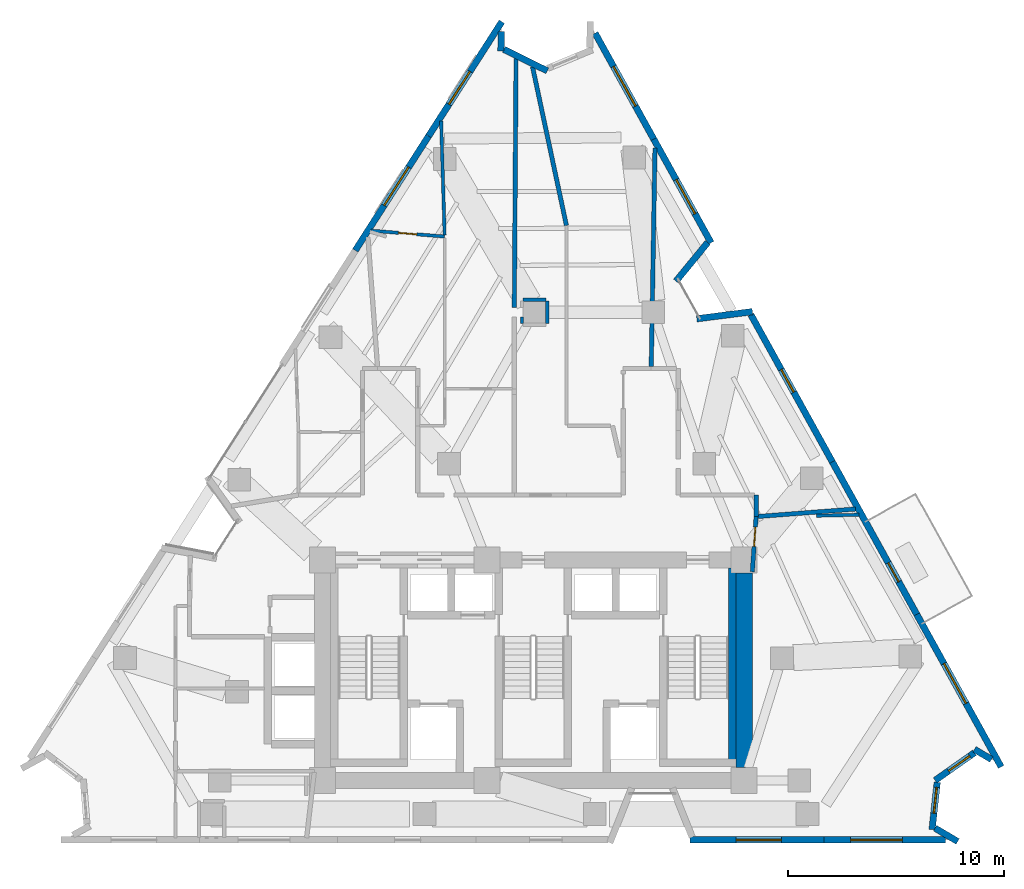
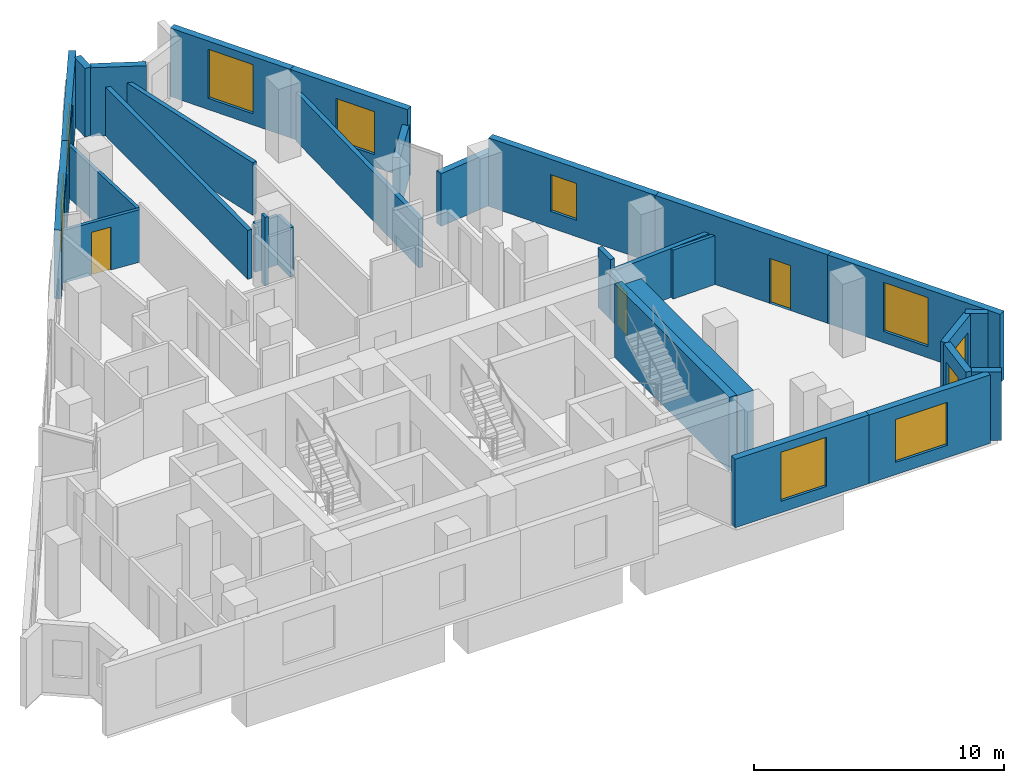
# One storey, part 8 of 11: 31 walls, 10 windows, 3 doors, 13 openings.
"""IFC4 building model written with IfcOpenShell, lengths in metres."""

from ifc_helpers import new_model, si_unit, direction, frame, frame_2d, origin, place, context, subcontext, project, spatial, rectangle, extrude, material, layer, layer_set, type_object, element, fill, save


model = new_model("IFC4")

# Units and contexts
model_context = context("Model", 3, precision=1e-05, world=origin(), true_north=direction((0.0, 1.0)))
body_context = subcontext(model_context, "Body", "Model", "MODEL_VIEW")
ifc_project = project(units=[si_unit("LENGTHUNIT", "METRE"), si_unit("AREAUNIT", "SQUARE_METRE"), si_unit("VOLUMEUNIT", "CUBIC_METRE"), si_unit("PLANEANGLEUNIT", "RADIAN"), si_unit("MASSUNIT", "GRAM", prefix="KILO")], contexts=[model_context])

# Site, building, storey
site_placement = place(None, origin())
site = spatial("IfcSite", under=ifc_project, at=site_placement, CompositionType="ELEMENT")
building_placement = place(site_placement, origin())
building = spatial("IfcBuilding", under=site, at=building_placement, Name="Almagre Mirador Tower", CompositionType="ELEMENT")
storey_placement = place(building_placement, frame((0.0, 0.0, 153.60009765625)))
storey = spatial("IfcBuildingStorey", under=building, at=storey_placement, Name="L39", CompositionType="ELEMENT", Elevation=153.60009765625)

# Wall, opening, window
ifc_material_1 = material(Name="Precast concrete C50/60", Category="concrete")
ifc_layer_1 = layer(ifc_material_1, 0.300048828125)
ifc_layer_set_1 = layer_set([ifc_layer_1], Name="Precast concrete C50/60")
wall_type_1 = type_object("IfcWallType", Name="WAL-EXT-300", PredefinedType="SOLIDWALL", material=ifc_layer_set_1)
wall_1_placement = place(storey_placement, frame((29.06689453125, 29.05859375, 0.0), z_axis=(0.0, 0.0, 1.0), x_axis=(0.539534675603, 0.841963380333, 0.0)))
wall_1 = element("IfcWall", 1, at=wall_1_placement, inside=storey, type_object=wall_type_1, Name="L39 expressed almagre precast frame wall 04", PredefinedType="SOLIDWALL", context=body_context, shape_type="SweptSolid", body=[
    extrude(rectangle(XDim=6.27880859375, YDim=0.300048828125, at=frame_2d((3.139404296875, 0.0))), origin(), (0.0, 0.0, 1.0), 3.349853515625),
])
opening_1_placement = place(wall_1_placement, frame((2.47509765625, 0.0, 0.550048828125)))
opening_1 = element("IfcOpeningElement", 2, at=opening_1_placement, cuts=wall_1, Name="Opening WN-05", PredefinedType="OPENING", context=body_context, shape_type="SweptSolid", body=[
    extrude(rectangle(XDim=2.10009765625, YDim=2.39990234375, at=frame_2d((1.050048828125, 1.199951171875))), frame((0.0, 0.159902, 0.0), z_axis=(0.0, -1.0, 0.0), x_axis=(1.0, 0.0, 0.0)), (0.0, 0.0, 1.0), 0.320049),
])
ifc_material_2 = material(Name="Dark solar-control laminated hurricane glass", Category="glass")
window_type_1 = type_object("IfcWindowType", Name="WIN-2100X2400", PartitioningType="DOUBLE_PANEL_VERTICAL", PredefinedType="WINDOW", material=ifc_material_2)
window_1_placement = place(opening_1_placement, origin())
window_1 = element("IfcWindow", 3, at=window_1_placement, inside=storey, type_object=window_type_1, Name="L39 recessed hurricane window L39-UG-HB", OverallHeight=2.39990234375, OverallWidth=2.10009765625, PartitioningType="SINGLE_PANEL", PredefinedType="WINDOW", context=body_context, shape_type="SweptSolid", body=[
    extrude(rectangle(XDim=2.10009765625, YDim=2.39990234375, at=frame_2d((1.050048828125, 1.199951171875))), frame((0.0, 0.030029296875, 0.0), z_axis=(0.0, -1.0, 0.0), x_axis=(1.0, 0.0, 0.0)), (0.0, 0.0, 1.0), 0.06005859375),
])
fill(opening_1, window_1)

wall_2_placement = place(storey_placement, frame((32.45458984375, 34.34521484375, 0.0), z_axis=(0.0, 0.0, 1.0), x_axis=(0.539489448276, 0.841992360535, 0.0)))
wall_2 = element("IfcWall", 4, at=wall_2_placement, inside=storey, type_object=wall_type_1, Name="L39 expressed almagre precast frame wall 05", PredefinedType="SOLIDWALL", context=body_context, shape_type="SweptSolid", body=[
    extrude(rectangle(XDim=6.279052734375, YDim=0.300048828125, at=frame_2d((3.1396484375, 0.0))), origin(), (0.0, 0.0, 1.0), 3.349853515625),
])
opening_2_placement = place(wall_2_placement, frame((1.75, 0.0, 0.60009765625)))
opening_2 = element("IfcOpeningElement", 5, at=opening_2_placement, cuts=wall_2, Name="Opening WN-01", PredefinedType="OPENING", context=body_context, shape_type="SweptSolid", body=[
    extrude(rectangle(XDim=1.800048828125, YDim=2.10009765625, at=frame_2d((0.89990234375, 1.050048828125))), frame((0.0, 0.159902, 0.0), z_axis=(0.0, -1.0, 0.0), x_axis=(1.0, 0.0, 0.0)), (0.0, 0.0, 1.0), 0.320049),
])
ifc_material_3 = material(Name="Dark solar-control laminated hurricane glass", Category="glass")
window_type_2 = type_object("IfcWindowType", Name="WIN-1800X2100", PartitioningType="DOUBLE_PANEL_VERTICAL", PredefinedType="WINDOW", material=ifc_material_3)
window_2_placement = place(opening_2_placement, origin())
window_2 = element("IfcWindow", 6, at=window_2_placement, inside=storey, type_object=window_type_2, Name="L39 recessed hurricane window L39-UG-SL1", OverallHeight=2.10009765625, OverallWidth=1.800048828125, PartitioningType="SINGLE_PANEL", PredefinedType="WINDOW", context=body_context, shape_type="SweptSolid", body=[
    extrude(rectangle(XDim=1.800048828125, YDim=2.10009765625, at=frame_2d((0.89990234375, 1.050048828125))), frame((0.0, 0.030029296875, 0.0), z_axis=(0.0, -1.0, 0.0), x_axis=(1.0, 0.0, 0.0)), (0.0, 0.0, 1.0), 0.06005859375),
])
fill(opening_2, window_2)

# Walls
wall_3_placement = place(storey_placement, frame((35.82763671875, 39.187255859375, 0.0), z_axis=(0.0, 0.0, 1.0), x_axis=(-0.031938584897, -0.999489833262, 0.0)))
element("IfcWall", 7, at=wall_3_placement, inside=storey, type_object=wall_type_1, Name="L39 expressed almagre precast frame wall 06", PredefinedType="SOLIDWALL", context=body_context, shape_type="SweptSolid", body=[
    extrude(rectangle(XDim=0.90966796875, YDim=0.300048828125, at=frame_2d((0.454833984375, 0.0))), origin(), (0.0, 0.0, 1.0), 3.349853515625),
])
wall_4_placement = place(storey_placement, frame((35.928466796875, 38.35595703125, 0.0), z_axis=(0.0, 0.0, 1.0), x_axis=(0.896845505116, -0.442343915922, 0.0)))
element("IfcWall", 8, at=wall_4_placement, inside=storey, type_object=wall_type_1, Name="L39 expressed almagre precast frame wall 07", PredefinedType="SOLIDWALL", context=body_context, shape_type="SweptSolid", body=[
    extrude(rectangle(XDim=2.2490234375, YDim=0.300048828125, at=frame_2d((1.12451171875, 0.0))), origin(), (0.0, 0.0, 1.0), 3.349853515625),
])

# Wall, opening, window
wall_5_placement = place(storey_placement, frame((40.15478515625, 39.106201171875, 0.0), z_axis=(0.0, 0.0, 1.0), x_axis=(0.484204903903, -0.874954633702, 0.0)))
wall_5 = element("IfcWall", 9, at=wall_5_placement, inside=storey, type_object=wall_type_1, Name="L39 expressed almagre precast frame wall 10", PredefinedType="SOLIDWALL", context=body_context, shape_type="SweptSolid", body=[
    extrude(rectangle(XDim=5.653076171875, YDim=0.300048828125, at=frame_2d((2.82666015625, 0.0))), origin(), (0.0, 0.0, 1.0), 3.349853515625),
])
opening_3_placement = place(wall_5_placement, frame((1.760009765625, 0.0, 0.550048828125)))
opening_3 = element("IfcOpeningElement", 10, at=opening_3_placement, cuts=wall_5, Name="Opening WN-05", PredefinedType="OPENING", context=body_context, shape_type="SweptSolid", body=[
    extrude(rectangle(XDim=2.10009765625, YDim=2.39990234375, at=frame_2d((1.050048828125, 1.199951171875))), frame((0.0, 0.159902, 0.0), z_axis=(0.0, -1.0, 0.0), x_axis=(1.0, 0.0, 0.0)), (0.0, 0.0, 1.0), 0.320049),
])
window_3_placement = place(opening_3_placement, origin())
window_3 = element("IfcWindow", 11, at=window_3_placement, inside=storey, type_object=window_type_1, Name="L39 recessed hurricane window L39-RST-H", OverallHeight=2.39990234375, OverallWidth=2.10009765625, PartitioningType="SINGLE_PANEL", PredefinedType="WINDOW", context=body_context, shape_type="SweptSolid", body=[
    extrude(rectangle(XDim=2.10009765625, YDim=2.39990234375, at=frame_2d((1.050048828125, 1.199951171875))), frame((0.0, 0.030029296875, 0.0), z_axis=(0.0, -1.0, 0.0), x_axis=(1.0, 0.0, 0.0)), (0.0, 0.0, 1.0), 0.06005859375),
])
fill(opening_3, window_3)

wall_6_placement = place(storey_placement, frame((42.866455078125, 34.206298828125, 0.0), z_axis=(0.0, 0.0, 1.0), x_axis=(0.484193476584, -0.874960957548, 0.0)))
wall_6 = element("IfcWall", 12, at=wall_6_placement, inside=storey, type_object=wall_type_1, Name="L39 expressed almagre precast frame wall 11", PredefinedType="SOLIDWALL", context=body_context, shape_type="SweptSolid", body=[
    extrude(rectangle(XDim=5.47998046875, YDim=0.300048828125, at=frame_2d((2.739990234375, 0.0))), origin(), (0.0, 0.0, 1.0), 3.349853515625),
])
opening_4_placement = place(wall_6_placement, frame((2.14501953125, 0.0, 0.60009765625)))
opening_4 = element("IfcOpeningElement", 13, at=opening_4_placement, cuts=wall_6, Name="Opening WN-01", PredefinedType="OPENING", context=body_context, shape_type="SweptSolid", body=[
    extrude(rectangle(XDim=1.800048828125, YDim=2.10009765625, at=frame_2d((0.89990234375, 1.050048828125))), frame((0.0, 0.159902, 0.0), z_axis=(0.0, -1.0, 0.0), x_axis=(1.0, 0.0, 0.0)), (0.0, 0.0, 1.0), 0.320049),
])
window_4_placement = place(opening_4_placement, origin())
window_4 = element("IfcWindow", 14, at=window_4_placement, inside=storey, type_object=window_type_2, Name="L39 recessed hurricane window L39-UF-ST", OverallHeight=2.10009765625, OverallWidth=1.800048828125, PartitioningType="SINGLE_PANEL", PredefinedType="WINDOW", context=body_context, shape_type="SweptSolid", body=[
    extrude(rectangle(XDim=1.800048828125, YDim=2.10009765625, at=frame_2d((0.89990234375, 1.050048828125))), frame((0.0, 0.030029296875, 0.0), z_axis=(0.0, -1.0, 0.0), x_axis=(1.0, 0.0, 0.0)), (0.0, 0.0, 1.0), 0.06005859375),
])
fill(opening_4, window_4)

# Walls
wall_7_placement = place(storey_placement, frame((45.36328125, 29.42578125, 0.0), z_axis=(0.0, 0.0, 1.0), x_axis=(-0.634082112051, -0.773265720937, 0.0)))
element("IfcWall", 15, at=wall_7_placement, inside=storey, type_object=wall_type_1, Name="L39 expressed almagre precast frame wall 12", PredefinedType="SOLIDWALL", context=body_context, shape_type="SweptSolid", body=[
    extrude(rectangle(XDim=2.313720703125, YDim=0.300048828125, at=frame_2d((1.15673828125, 0.0))), origin(), (0.0, 0.0, 1.0), 2.574951171875),
])
wall_8_placement = place(storey_placement, frame((44.858154296875, 25.8994140625, 0.0), z_axis=(0.0, 0.0, 1.0), x_axis=(0.991953049751, 0.126606267974, 0.0)))
element("IfcWall", 16, at=wall_8_placement, inside=storey, type_object=wall_type_1, Name="L39 expressed almagre precast frame wall 13", PredefinedType="SOLIDWALL", context=body_context, shape_type="SweptSolid", body=[
    extrude(rectangle(XDim=2.593505859375, YDim=0.300048828125, at=frame_2d((1.296875, 0.0))), origin(), (0.0, 0.0, 1.0), 2.574951171875),
])

# Wall, opening, window
wall_9_placement = place(storey_placement, frame((47.35986328125, 26.08740234375, 0.0), z_axis=(0.0, 0.0, 1.0), x_axis=(0.484182040501, -0.874967286049, 0.0)))
wall_9 = element("IfcWall", 17, at=wall_9_placement, inside=storey, type_object=wall_type_1, Name="L39 expressed almagre precast frame wall 14", PredefinedType="SOLIDWALL", context=body_context, shape_type="SweptSolid", body=[
    extrude(rectangle(XDim=7.779296875, YDim=0.300048828125, at=frame_2d((3.8896484375, 0.0))), origin(), (0.0, 0.0, 1.0), 3.349853515625),
])
opening_5_placement = place(wall_9_placement, frame((2.89501953125, 0.0, 0.800048828125)))
opening_5 = element("IfcOpeningElement", 18, at=opening_5_placement, cuts=wall_9, Name="Opening WN-04", PredefinedType="OPENING", context=body_context, shape_type="SweptSolid", body=[
    extrude(rectangle(XDim=1.199951171875, YDim=1.800048828125, at=frame_2d((0.60009765625, 0.89990234375))), frame((0.0, 0.159902, 0.0), z_axis=(0.0, -1.0, 0.0), x_axis=(1.0, 0.0, 0.0)), (0.0, 0.0, 1.0), 0.320049),
])
ifc_material_4 = material(Name="Dark solar-control laminated hurricane glass", Category="glass")
window_type_3 = type_object("IfcWindowType", Name="WIN-1200X1800", PartitioningType="SINGLE_PANEL", PredefinedType="WINDOW", material=ifc_material_4)
window_5_placement = place(opening_5_placement, origin())
window_5 = element("IfcWindow", 19, at=window_5_placement, inside=storey, type_object=window_type_3, Name="L39 recessed hurricane window L39-UF-ST", OverallHeight=1.800048828125, OverallWidth=1.199951171875, PartitioningType="SINGLE_PANEL", PredefinedType="WINDOW", context=body_context, shape_type="SweptSolid", body=[
    extrude(rectangle(XDim=1.199951171875, YDim=1.800048828125, at=frame_2d((0.60009765625, 0.89990234375))), frame((0.0, 0.030029296875, 0.0), z_axis=(0.0, -1.0, 0.0), x_axis=(1.0, 0.0, 0.0)), (0.0, 0.0, 1.0), 0.06005859375),
])
fill(opening_5, window_5)

# Wall, opening, door
wall_10_placement = place(storey_placement, frame((51.12646484375, 19.28076171875, 0.0), z_axis=(0.0, 0.0, 1.0), x_axis=(0.484181305153, -0.87496769297, 0.0)))
wall_10 = element("IfcWall", 20, at=wall_10_placement, inside=storey, type_object=wall_type_1, Name="L39 expressed almagre precast frame wall 15", PredefinedType="SOLIDWALL", context=body_context, shape_type="SweptSolid", body=[
    extrude(rectangle(XDim=8.05908203125, YDim=0.300048828125, at=frame_2d((4.029541015625, 0.0))), origin(), (0.0, 0.0, 1.0), 3.349853515625),
])
opening_6_placement = place(wall_10_placement, frame((5.3349609375, 0.0, 0.0)))
opening_6 = element("IfcOpeningElement", 21, at=opening_6_placement, cuts=wall_10, Name="Opening BD-01", PredefinedType="OPENING", context=body_context, shape_type="SweptSolid", body=[
    extrude(rectangle(XDim=1.0, YDim=2.199951171875, at=frame_2d((0.5, 1.10009765625))), frame((0.0, 0.159902, 0.0), z_axis=(0.0, -1.0, 0.0), x_axis=(1.0, 0.0, 0.0)), (0.0, 0.0, 1.0), 0.320049),
])
ifc_material_5 = material(Name="Black anodized aluminium and laminated glass", Category="aluminium")
door_type_1 = type_object("IfcDoorType", Name="DOR-BAL-1000X2200", OperationType="NOTDEFINED", PredefinedType="DOOR", material=ifc_material_5)
door_1_placement = place(opening_6_placement, origin())
door_1 = element("IfcDoor", 22, at=door_1_placement, inside=storey, type_object=door_type_1, Name="DR-1259 L39 east balcony glazed door 1", OperationType="SINGLE_SWING_RIGHT", OverallHeight=2.199951171875, OverallWidth=1.0, PredefinedType="DOOR", context=body_context, shape_type="SweptSolid", body=[
    extrude(rectangle(XDim=1.0, YDim=2.199951171875, at=frame_2d((0.5, 1.10009765625))), frame((0.0, 0.02490234375, 0.0), z_axis=(0.0, -1.0, 0.0), x_axis=(1.0, 0.0, 0.0)), (0.0, 0.0, 1.0), 0.050048828125),
])
fill(opening_6, door_1)

# Wall, opening, window
wall_11_placement = place(storey_placement, frame((55.028564453125, 12.229248046875, 0.0), z_axis=(0.0, 0.0, 1.0), x_axis=(0.484191662818, -0.874961961263, 0.0)))
wall_11 = element("IfcWall", 23, at=wall_11_placement, inside=storey, type_object=wall_type_1, Name="L39 expressed almagre precast frame wall 16", PredefinedType="SOLIDWALL", context=body_context, shape_type="SweptSolid", body=[
    extrude(rectangle(XDim=8.0595703125, YDim=0.300048828125, at=frame_2d((4.02978515625, 0.0))), origin(), (0.0, 0.0, 1.0), 3.349853515625),
])
opening_7_placement = place(wall_11_placement, frame((2.60009765625, 0.0, 0.550048828125)))
opening_7 = element("IfcOpeningElement", 24, at=opening_7_placement, cuts=wall_11, Name="Opening WN-05", PredefinedType="OPENING", context=body_context, shape_type="SweptSolid", body=[
    extrude(rectangle(XDim=2.10009765625, YDim=2.39990234375, at=frame_2d((1.050048828125, 1.199951171875))), frame((0.0, 0.159902, 0.0), z_axis=(0.0, -1.0, 0.0), x_axis=(1.0, 0.0, 0.0)), (0.0, 0.0, 1.0), 0.320049),
])
window_6_placement = place(opening_7_placement, origin())
window_6 = element("IfcWindow", 25, at=window_6_placement, inside=storey, type_object=window_type_1, Name="L39 recessed hurricane window L39-UC-MB", OverallHeight=2.39990234375, OverallWidth=2.10009765625, PartitioningType="SINGLE_PANEL", PredefinedType="WINDOW", context=body_context, shape_type="SweptSolid", body=[
    extrude(rectangle(XDim=2.10009765625, YDim=2.39990234375, at=frame_2d((1.050048828125, 1.199951171875))), frame((0.0, 0.030029296875, 0.0), z_axis=(0.0, -1.0, 0.0), x_axis=(1.0, 0.0, 0.0)), (0.0, 0.0, 1.0), 0.06005859375),
])
fill(opening_7, window_6)

# Wall
wall_12_placement = place(storey_placement, frame((58.48388671875, 5.523681640625, 0.0), z_axis=(0.0, 0.0, 1.0), x_axis=(-0.861425815417, 0.507883416281, 0.0)))
element("IfcWall", 26, at=wall_12_placement, inside=storey, type_object=wall_type_1, Name="L39 expressed almagre precast frame wall 17", PredefinedType="SOLIDWALL", context=body_context, shape_type="SweptSolid", body=[
    extrude(rectangle(XDim=0.914306640625, YDim=0.300048828125, at=frame_2d((0.45703125, 0.0))), origin(), (0.0, 0.0, 1.0), 3.349853515625),
])

# Wall, opening, window
wall_13_placement = place(storey_placement, frame((57.698486328125, 5.83349609375, 0.0), z_axis=(0.0, 0.0, 1.0), x_axis=(-0.817967042546, -0.575265084382, 0.0)))
wall_13 = element("IfcWall", 27, at=wall_13_placement, inside=storey, type_object=wall_type_1, Name="L39 expressed almagre precast frame wall 18", PredefinedType="SOLIDWALL", context=body_context, shape_type="SweptSolid", body=[
    extrude(rectangle(XDim=2.22509765625, YDim=0.300048828125, at=frame_2d((1.112548828125, 0.0))), origin(), (0.0, 0.0, 1.0), 3.349853515625),
])
opening_8_placement = place(wall_13_placement, frame((0.264892578125, 0.0, 0.800048828125)))
opening_8 = element("IfcOpeningElement", 28, at=opening_8_placement, cuts=wall_13, Name="Opening WN-04", PredefinedType="OPENING", context=body_context, shape_type="SweptSolid", body=[
    extrude(rectangle(XDim=1.199951171875, YDim=1.800048828125, at=frame_2d((0.60009765625, 0.89990234375))), frame((0.0, 0.159902, 0.0), z_axis=(0.0, -1.0, 0.0), x_axis=(1.0, 0.0, 0.0)), (0.0, 0.0, 1.0), 0.320049),
])
window_7_placement = place(opening_8_placement, origin())
window_7 = element("IfcWindow", 29, at=window_7_placement, inside=storey, type_object=window_type_3, Name="L39 recessed hurricane window L39-UC-MB", OverallHeight=1.800048828125, OverallWidth=1.199951171875, PartitioningType="SINGLE_PANEL", PredefinedType="WINDOW", context=body_context, shape_type="SweptSolid", body=[
    extrude(rectangle(XDim=1.199951171875, YDim=1.800048828125, at=frame_2d((0.60009765625, 0.89990234375))), frame((0.0, 0.030029296875, 0.0), z_axis=(0.0, -1.0, 0.0), x_axis=(1.0, 0.0, 0.0)), (0.0, 0.0, 1.0), 0.06005859375),
])
fill(opening_8, window_7)

wall_14_placement = place(storey_placement, frame((55.975341796875, 4.469970703125, 0.0), z_axis=(0.0, 0.0, 1.0), x_axis=(-0.107733264194, -0.994179834731, 0.0)))
wall_14 = element("IfcWall", 30, at=wall_14_placement, inside=storey, type_object=wall_type_1, Name="L39 expressed almagre precast frame wall 19", PredefinedType="SOLIDWALL", context=body_context, shape_type="SweptSolid", body=[
    extrude(rectangle(XDim=2.205078125, YDim=0.300048828125, at=frame_2d((1.1025390625, 0.0))), origin(), (0.0, 0.0, 1.0), 3.349853515625),
])
opening_9_placement = place(wall_14_placement, frame((0.2451171875, 0.0, 0.800048828125)))
opening_9 = element("IfcOpeningElement", 31, at=opening_9_placement, cuts=wall_14, Name="Opening WN-04", PredefinedType="OPENING", context=body_context, shape_type="SweptSolid", body=[
    extrude(rectangle(XDim=1.199951171875, YDim=1.800048828125, at=frame_2d((0.60009765625, 0.89990234375))), frame((0.0, 0.159902, 0.0), z_axis=(0.0, -1.0, 0.0), x_axis=(1.0, 0.0, 0.0)), (0.0, 0.0, 1.0), 0.320049),
])
window_8_placement = place(opening_9_placement, origin())
window_8 = element("IfcWindow", 32, at=window_8_placement, inside=storey, type_object=window_type_3, Name="L39 recessed hurricane window L39-UC-MB", OverallHeight=1.800048828125, OverallWidth=1.199951171875, PartitioningType="SINGLE_PANEL", PredefinedType="WINDOW", context=body_context, shape_type="SweptSolid", body=[
    extrude(rectangle(XDim=1.199951171875, YDim=1.800048828125, at=frame_2d((0.60009765625, 0.89990234375))), frame((0.0, 0.030029296875, 0.0), z_axis=(0.0, -1.0, 0.0), x_axis=(1.0, 0.0, 0.0)), (0.0, 0.0, 1.0), 0.06005859375),
])
fill(opening_9, window_8)

# Wall
wall_15_placement = place(storey_placement, frame((55.87353515625, 2.345947265625, 0.0), z_axis=(0.0, 0.0, 1.0), x_axis=(0.861577684209, -0.50762574213, 0.0)))
element("IfcWall", 33, at=wall_15_placement, inside=storey, type_object=wall_type_1, Name="L39 expressed almagre precast frame wall 20", PredefinedType="SOLIDWALL", context=body_context, shape_type="SweptSolid", body=[
    extrude(rectangle(XDim=1.21533203125, YDim=0.300048828125, at=frame_2d((0.607666015625, 0.0))), origin(), (0.0, 0.0, 1.0), 3.349853515625),
])

# Wall, opening, window
wall_16_placement = place(storey_placement, frame((56.360107421875, 1.800048828125, 0.0), z_axis=(0.0, 0.0, 1.0), x_axis=(-1.0, 0.0, 0.0)))
wall_16 = element("IfcWall", 34, at=wall_16_placement, inside=storey, type_object=wall_type_1, Name="L39 expressed almagre precast frame wall 21", PredefinedType="SOLIDWALL", context=body_context, shape_type="SweptSolid", body=[
    extrude(rectangle(XDim=5.614013671875, YDim=0.300048828125, at=frame_2d((2.80712890625, 0.0))), origin(), (0.0, 0.0, 1.0), 3.349853515625),
])
opening_10_placement = place(wall_16_placement, frame((1.9951171875, 0.0, 0.60009765625)))
opening_10 = element("IfcOpeningElement", 35, at=opening_10_placement, cuts=wall_16, Name="Opening WN-02", PredefinedType="OPENING", context=body_context, shape_type="SweptSolid", body=[
    extrude(rectangle(XDim=2.39990234375, YDim=2.10009765625, at=frame_2d((1.199951171875, 1.050048828125))), frame((0.0, 0.159902, 0.0), z_axis=(0.0, -1.0, 0.0), x_axis=(1.0, 0.0, 0.0)), (0.0, 0.0, 1.0), 0.320049),
])
ifc_material_6 = material(Name="Dark solar-control laminated hurricane glass", Category="glass")
window_type_4 = type_object("IfcWindowType", Name="WIN-2400X2100", PartitioningType="TRIPLE_PANEL_VERTICAL", PredefinedType="WINDOW", material=ifc_material_6)
window_9_placement = place(opening_10_placement, origin())
window_9 = element("IfcWindow", 36, at=window_9_placement, inside=storey, type_object=window_type_4, Name="L39 recessed hurricane window L39-UC-KT", OverallHeight=2.10009765625, OverallWidth=2.39990234375, PartitioningType="SINGLE_PANEL", PredefinedType="WINDOW", context=body_context, shape_type="SweptSolid", body=[
    extrude(rectangle(XDim=2.39990234375, YDim=2.10009765625, at=frame_2d((1.199951171875, 1.050048828125))), frame((0.0, 0.030029296875, 0.0), z_axis=(0.0, -1.0, 0.0), x_axis=(1.0, 0.0, 0.0)), (0.0, 0.0, 1.0), 0.06005859375),
])
fill(opening_10, window_9)

wall_17_placement = place(storey_placement, frame((50.74609375, 1.800048828125, 0.0), z_axis=(0.0, 0.0, 1.0), x_axis=(-1.0, 0.0, 0.0)))
wall_17 = element("IfcWall", 37, at=wall_17_placement, inside=storey, type_object=wall_type_1, Name="L39 expressed almagre precast frame wall 22", PredefinedType="SOLIDWALL", context=body_context, shape_type="SweptSolid", body=[
    extrude(rectangle(XDim=6.194091796875, YDim=0.300048828125, at=frame_2d((3.09716796875, 0.0))), origin(), (0.0, 0.0, 1.0), 3.349853515625),
])
opening_11_placement = place(wall_17_placement, frame((1.97509765625, 0.0, 0.550048828125)))
opening_11 = element("IfcOpeningElement", 38, at=opening_11_placement, cuts=wall_17, Name="Opening WN-05", PredefinedType="OPENING", context=body_context, shape_type="SweptSolid", body=[
    extrude(rectangle(XDim=2.10009765625, YDim=2.39990234375, at=frame_2d((1.050048828125, 1.199951171875))), frame((0.0, 0.159902, 0.0), z_axis=(0.0, -1.0, 0.0), x_axis=(1.0, 0.0, 0.0)), (0.0, 0.0, 1.0), 0.320049),
])
window_10_placement = place(opening_11_placement, origin())
window_10 = element("IfcWindow", 39, at=window_10_placement, inside=storey, type_object=window_type_1, Name="L39 recessed hurricane window L39-RST-B", OverallHeight=2.39990234375, OverallWidth=2.10009765625, PartitioningType="SINGLE_PANEL", PredefinedType="WINDOW", context=body_context, shape_type="SweptSolid", body=[
    extrude(rectangle(XDim=2.10009765625, YDim=2.39990234375, at=frame_2d((1.050048828125, 1.199951171875))), frame((0.0, 0.030029296875, 0.0), z_axis=(0.0, -1.0, 0.0), x_axis=(1.0, 0.0, 0.0)), (0.0, 0.0, 1.0), 0.06005859375),
])
fill(opening_11, window_10)

# Wall, opening, door
ifc_material_7 = material(Name="Gypsum acoustic stud partition", Category="other")
ifc_layer_2 = layer(ifc_material_7, 0.14990234375)
ifc_layer_set_2 = layer_set([ifc_layer_2], Name="Gypsum acoustic stud partition")
wall_type_2 = type_object("IfcWallType", Name="WAL-PRT-150-STD", PredefinedType="PARTITIONING", material=ifc_layer_set_2)
wall_18_placement = place(storey_placement, frame((33.199951171875, 29.699951171875, 0.0), z_axis=(0.0, 0.0, 1.0), x_axis=(-0.996817095408, 0.079722508132, 0.0)))
wall_18 = element("IfcWall", 40, at=wall_18_placement, inside=storey, type_object=wall_type_2, Name="L39 interior partition 059", PredefinedType="PARTITIONING", context=body_context, shape_type="SweptSolid", body=[
    extrude(rectangle(XDim=3.417724609375, YDim=0.14990234375, at=frame_2d((1.708984375, 0.0))), origin(), (0.0, 0.0, 1.0), 2.56982421875),
])
opening_12_placement = place(wall_18_placement, frame((1.29345703125, 0.0, 0.0)))
opening_12 = element("IfcOpeningElement", 41, at=opening_12_placement, cuts=wall_18, Name="Opening UD-04", PredefinedType="OPENING", context=body_context, shape_type="SweptSolid", body=[
    extrude(rectangle(XDim=0.85009765625, YDim=2.10009765625, at=frame_2d((0.425048828125, 1.050048828125))), frame((0.0, 0.084951, 0.0), z_axis=(0.0, -1.0, 0.0), x_axis=(1.0, 0.0, 0.0)), (0.0, 0.0, 1.0), 0.169902),
])
ifc_material_8 = material(Name="Moisture-resistant oak timber", Category="wood")
door_type_2 = type_object("IfcDoorType", Name="DOR-UNR-850X2100", OperationType="NOTDEFINED", PredefinedType="DOOR", material=ifc_material_8)
door_2_placement = place(opening_12_placement, origin())
door_2 = element("IfcDoor", 42, at=door_2_placement, inside=storey, type_object=door_type_2, Name="DR-1278 L39 interior door L39-UG-ST to L39-UG-HB", OperationType="SINGLE_SWING_LEFT", OverallHeight=2.10009765625, OverallWidth=0.85009765625, PredefinedType="DOOR", context=body_context, shape_type="SweptSolid", body=[
    extrude(rectangle(XDim=0.85009765625, YDim=2.10009765625, at=frame_2d((0.425048828125, 1.050048828125))), frame((0.0, 0.02490234375, 0.0), z_axis=(0.0, -1.0, 0.0), x_axis=(1.0, 0.0, 0.0)), (0.0, 0.0, 1.0), 0.050048828125),
])
fill(opening_12, door_2)

# Walls
wall_19_placement = place(storey_placement, frame((33.19873046875, 29.760009765625, 0.0), z_axis=(0.0, 0.0, 1.0), x_axis=(-0.030856354446, 0.999523829326, 0.0)))
element("IfcWall", 43, at=wall_19_placement, inside=storey, type_object=wall_type_2, Name="L39 interior partition 063", PredefinedType="PARTITIONING", context=body_context, shape_type="SweptSolid", body=[
    extrude(rectangle(XDim=5.27734375, YDim=0.14990234375, at=frame_2d((2.638671875, 0.0))), origin(), (0.0, 0.0, 1.0), 2.56982421875),
])
wall_20_placement = place(storey_placement, frame((52.34912109375, 16.8359375, 0.0), z_axis=(0.0, 0.0, 1.0), x_axis=(-0.999727879239, -0.023327397455, 0.0)))
element("IfcWall", 44, at=wall_20_placement, inside=storey, type_object=wall_type_2, Name="L39 interior partition 067", PredefinedType="PARTITIONING", context=body_context, shape_type="SweptSolid", body=[
    extrude(rectangle(XDim=1.967529296875, YDim=0.14990234375, at=frame_2d((0.98388671875, 0.0))), origin(), (0.0, 0.0, 1.0), 2.392822265625),
])
wall_21_placement = place(storey_placement, frame((36.820068359375, 26.780029296875, 0.0), z_axis=(0.0, 0.0, 1.0), x_axis=(1.0, 0.0, 0.0)))
element("IfcWall", 45, at=wall_21_placement, inside=storey, type_object=wall_type_2, Name="L39 interior partition 076", PredefinedType="PARTITIONING", context=body_context, shape_type="SweptSolid", body=[
    extrude(rectangle(XDim=1.06982421875, YDim=0.14990234375, at=frame_2d((0.534912109375, 0.0))), origin(), (0.0, 0.0, 1.0), 2.392822265625),
])
wall_22_placement = place(storey_placement, frame((37.93994140625, 26.72998046875, 0.0), z_axis=(0.0, 0.0, 1.0), x_axis=(0.0, -1.0, 0.0)))
element("IfcWall", 46, at=wall_22_placement, inside=storey, type_object=wall_type_2, Name="L39 interior partition 077", PredefinedType="PARTITIONING", context=body_context, shape_type="SweptSolid", body=[
    extrude(rectangle(XDim=1.06005859375, YDim=0.14990234375, at=frame_2d((0.530029296875, 0.0))), origin(), (0.0, 0.0, 1.0), 2.435791015625),
])
wall_23_placement = place(storey_placement, frame((36.77001953125, 25.669921875, 0.0), z_axis=(0.0, 0.0, 1.0), x_axis=(0.0, 1.0, 0.0)))
element("IfcWall", 47, at=wall_23_placement, inside=storey, type_object=wall_type_2, Name="L39 interior partition 079", PredefinedType="PARTITIONING", context=body_context, shape_type="SweptSolid", body=[
    extrude(rectangle(XDim=0.31005859375, YDim=0.14990234375, at=frame_2d((0.155029296875, 0.0))), origin(), (0.0, 0.0, 1.0), 3.349853515625),
])

# Wall, opening, door
ifc_material_9 = material(Name="Gypsum acoustic stud partition", Category="other")
ifc_layer_3 = layer(ifc_material_9, 0.199951171875)
ifc_layer_set_3 = layer_set([ifc_layer_3], Name="Gypsum acoustic stud partition")
wall_type_3 = type_object("IfcWallType", Name="WAL-PRT-200-EI60", PredefinedType="PARTITIONING", material=ifc_layer_set_3)
wall_24_placement = place(storey_placement, frame((47.425048828125, 14.199951171875, 0.0), z_axis=(0.0, 0.0, 1.0), x_axis=(0.068484119878, 0.997652206595, 0.0)))
wall_24 = element("IfcWall", 48, at=wall_24_placement, inside=storey, type_object=wall_type_3, Name="L39 interior partition 004", PredefinedType="PARTITIONING", context=body_context, shape_type="SweptSolid", body=[
    extrude(rectangle(XDim=2.55615234375, YDim=0.199951171875, at=frame_2d((1.278076171875, 0.0))), origin(), (0.0, 0.0, 1.0), 2.392822265625),
])
opening_13_placement = place(wall_24_placement, frame((1.172119140625, 0.0, 0.0)))
opening_13 = element("IfcOpeningElement", 49, at=opening_13_placement, cuts=wall_24, Name="Opening ID-03", PredefinedType="OPENING", context=body_context, shape_type="SweptSolid", body=[
    extrude(rectangle(XDim=0.89990234375, YDim=2.10009765625, at=frame_2d((0.449951171875, 1.050048828125))), frame((0.0, 0.110098, 0.0), z_axis=(0.0, -1.0, 0.0), x_axis=(1.0, 0.0, 0.0)), (0.0, 0.0, 1.0), 0.219951),
])
ifc_material_10 = material(Name="Fire-rated hollow steel", Category="steel")
door_type_3 = type_object("IfcDoorType", Name="DOR-FD60-900X2100", OperationType="NOTDEFINED", PredefinedType="DOOR", material=ifc_material_10)
door_3_placement = place(opening_13_placement, origin())
door_3 = element("IfcDoor", 50, at=door_3_placement, inside=storey, type_object=door_type_3, Name="DR-1265 L39 interior door L39-RCOR to L39-RST-B", OperationType="SINGLE_SWING_RIGHT", OverallHeight=2.10009765625, OverallWidth=0.89990234375, PredefinedType="DOOR", context=body_context, shape_type="SweptSolid", body=[
    extrude(rectangle(XDim=0.89990234375, YDim=2.10009765625, at=frame_2d((0.449951171875, 1.050048828125))), frame((0.0, 0.02490234375, 0.0), z_axis=(0.0, -1.0, 0.0), x_axis=(1.0, 0.0, 0.0)), (0.0, 0.0, 1.0), 0.050048828125),
])
fill(opening_13, door_3)

# Walls
wall_25_placement = place(storey_placement, frame((47.60009765625, 16.75, 0.0), z_axis=(0.0, 0.0, 1.0), x_axis=(0.0, 1.0, 0.0)))
element("IfcWall", 51, at=wall_25_placement, inside=storey, type_object=wall_type_3, Name="L39 interior partition 015", PredefinedType="PARTITIONING", context=body_context, shape_type="SweptSolid", body=[
    extrude(rectangle(XDim=1.0, YDim=0.199951171875, at=frame_2d((0.5, 0.0))), origin(), (0.0, 0.0, 1.0), 2.910888671875),
])
wall_26_placement = place(storey_placement, frame((52.197998046875, 17.10107421875, 0.0), z_axis=(0.0, 0.0, 1.0), x_axis=(-0.997091490512, -0.076213906529, 0.0)))
element("IfcWall", 52, at=wall_26_placement, inside=storey, type_object=wall_type_3, Name="L39 interior partition 037", PredefinedType="PARTITIONING", context=body_context, shape_type="SweptSolid", body=[
    extrude(rectangle(XDim=4.5263671875, YDim=0.199951171875, at=frame_2d((2.26318359375, 0.0))), origin(), (0.0, 0.0, 1.0), 2.392822265625),
])
wall_27_placement = place(storey_placement, frame((36.5009765625, 37.94189453125, 0.0), z_axis=(0.0, 0.0, 1.0), x_axis=(-0.007034618495, -0.999975256765, 0.0)))
element("IfcWall", 53, at=wall_27_placement, inside=storey, type_object=wall_type_3, Name="L39 interior partition 051", PredefinedType="PARTITIONING", context=body_context, shape_type="SweptSolid", body=[
    extrude(rectangle(XDim=11.522216796875, YDim=0.199951171875, at=frame_2d((5.76123046875, 0.0))), origin(), (0.0, 0.0, 1.0), 2.392822265625),
])
wall_28_placement = place(storey_placement, frame((38.830078125, 30.2099609375, 0.0), z_axis=(0.0, 0.0, 1.0), x_axis=(-0.208896033751, 0.977937854407, 0.0)))
element("IfcWall", 54, at=wall_28_placement, inside=storey, type_object=wall_type_3, Name="L39 interior partition 052", PredefinedType="PARTITIONING", context=body_context, shape_type="SweptSolid", body=[
    extrude(rectangle(XDim=7.506591796875, YDim=0.199951171875, at=frame_2d((3.75341796875, 0.0))), origin(), (0.0, 0.0, 1.0), 2.56982421875),
])
wall_29_placement = place(storey_placement, frame((42.925048828125, 33.800048828125, 0.0), z_axis=(0.0, 0.0, 1.0), x_axis=(-0.017206788201, -0.999851952261, 0.0)))
element("IfcWall", 55, at=wall_29_placement, inside=storey, type_object=wall_type_3, Name="L39 interior partition 057", PredefinedType="PARTITIONING", context=body_context, shape_type="SweptSolid", body=[
    extrude(rectangle(XDim=10.116455078125, YDim=0.199951171875, at=frame_2d((5.05810546875, 0.0))), origin(), (0.0, 0.0, 1.0), 2.392822265625),
])
ifc_material_11 = material(Name="Concrete C60/75", Category="concrete")
ifc_layer_4 = layer(ifc_material_11, 0.35009765625)
ifc_layer_set_4 = layer_set([ifc_layer_4], Name="Concrete C60/75")
wall_type_4 = type_object("IfcWallType", Name="WAL-SHF-350", PredefinedType="SOLIDWALL", material=ifc_layer_set_4)
wall_30_placement = place(storey_placement, frame((46.5, 5.199951171875, 0.0), z_axis=(0.0, 0.0, 1.0), x_axis=(0.0, 1.0, 0.0)))
element("IfcWall", 56, at=wall_30_placement, inside=storey, type_object=wall_type_4, Name="L39 shaft wall ST3-E", PredefinedType="SOLIDWALL", context=body_context, shape_type="SweptSolid", body=[
    extrude(rectangle(XDim=9.175048828125, YDim=0.35009765625, at=frame_2d((4.58740234375, 0.0))), origin(), (0.0, 0.0, 1.0), 3.599853515625),
])
ifc_material_12 = material(Name="Concrete C60/75", Category="concrete")
ifc_layer_5 = layer(ifc_material_12, 0.75)
ifc_layer_set_5 = layer_set([ifc_layer_5], Name="Concrete C60/75")
wall_type_5 = type_object("IfcWallType", Name="WAL-SHR-750", PredefinedType="SHEAR", material=ifc_layer_set_5)
wall_31_placement = place(storey_placement, frame((47.050048828125, 5.14990234375, 0.0), z_axis=(0.0, 0.0, 1.0), x_axis=(0.0, 1.0, 0.0)))
element("IfcWall", 57, at=wall_31_placement, inside=storey, type_object=wall_type_5, Name="L39 core shear wall E1", PredefinedType="SHEAR", context=body_context, shape_type="SweptSolid", body=[
    extrude(rectangle(XDim=9.0, YDim=0.75, at=frame_2d((4.5, 0.0))), origin(), (0.0, 0.0, 1.0), 3.599853515625),
])

save(model, "model.ifc")
